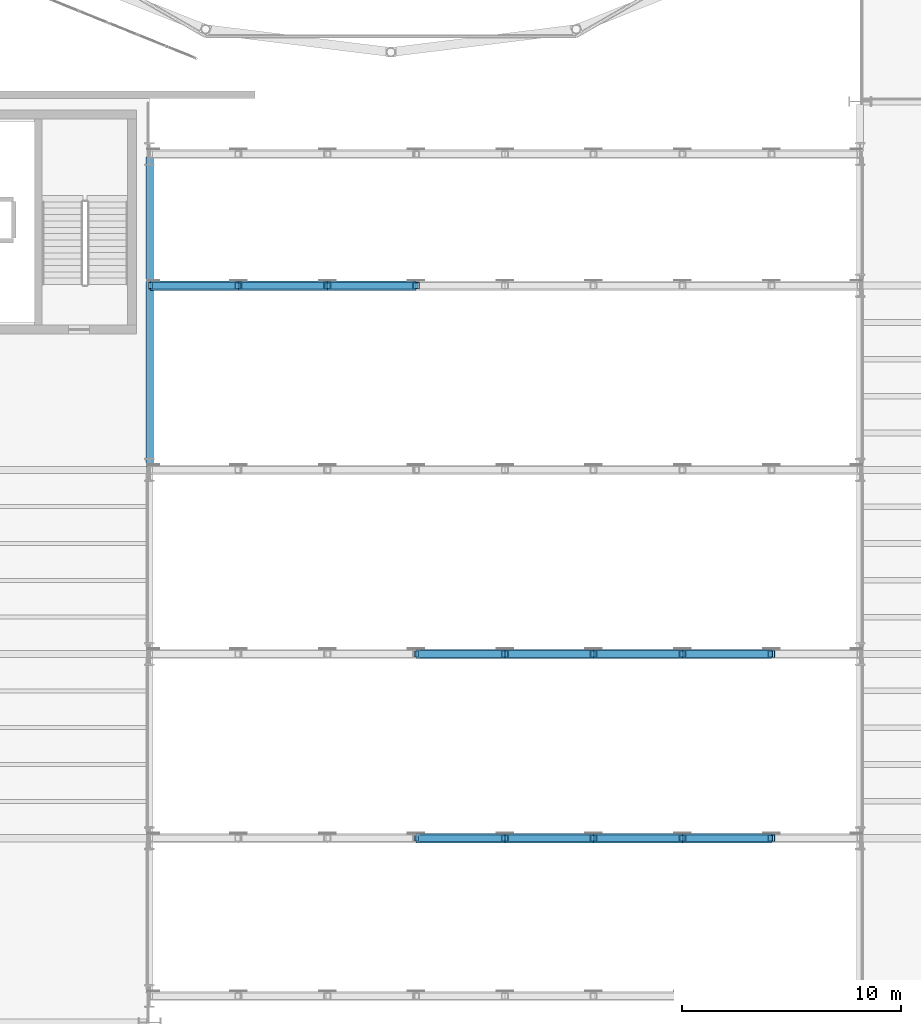
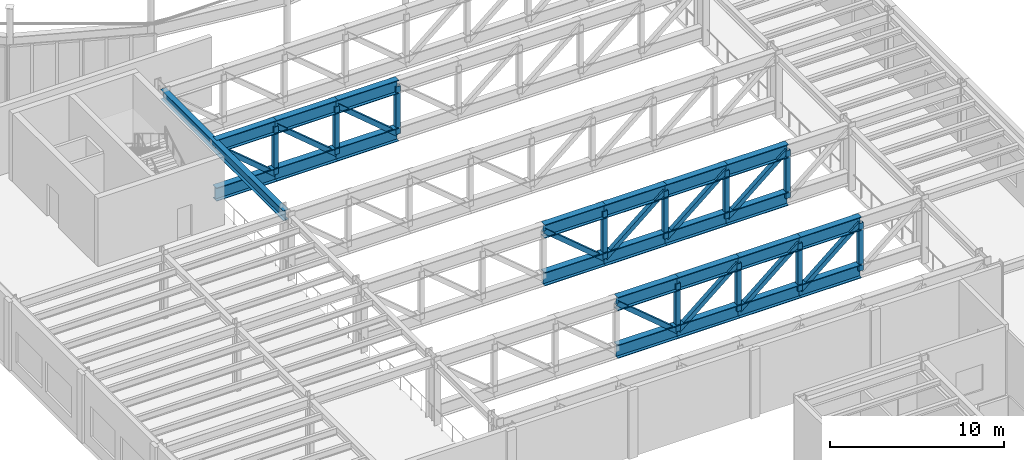
# One storey, part 20 of 91: 23 beams, 22 members.
"""IFC4 building model written with IfcOpenShell, lengths in metres."""

from ifc_helpers import new_model, si_unit, direction, frame, origin, origin_2d, place, context, subcontext, project, spatial, hollow_rectangle, i_section, extrude, material, material_profile, profile_set, type_object, element, save


model = new_model("IFC4")

# Units and contexts
model_context = context("Model", 3, precision=1e-05, world=origin(), true_north=direction((0.0, 1.0)))
body_context = subcontext(model_context, "Body", "Model", "MODEL_VIEW")
ifc_project = project(units=[si_unit("LENGTHUNIT", "METRE"), si_unit("AREAUNIT", "SQUARE_METRE"), si_unit("VOLUMEUNIT", "CUBIC_METRE"), si_unit("PLANEANGLEUNIT", "RADIAN"), si_unit("MASSUNIT", "GRAM", prefix="KILO")], contexts=[model_context])

# Site, building, storey
site_placement = place(None, origin())
site = spatial("IfcSite", under=ifc_project, at=site_placement, CompositionType="ELEMENT")
building_placement = place(site_placement, origin())
building = spatial("IfcBuilding", under=site, at=building_placement, Name="Sollismere Congress Hotel", CompositionType="ELEMENT")
storey_placement = place(building_placement, frame((0.0, 0.0, 10.800048828125)))
storey = spatial("IfcBuildingStorey", under=building, at=storey_placement, Name="L02", CompositionType="ELEMENT", Elevation=10.800048828125)

# Beams
ifc_material_1 = material(Name="Steel ASTM A992 Grade 50", Category="steel")
ifc_material_profile_1 = material_profile(ifc_material_1, i_section(OverallWidth=0.35595703125, OverallDepth=0.696044921875, WebThickness=0.015380859375, FlangeThickness=0.025146484375, at=origin_2d()), Name="W27X146")
ifc_profile_set_1 = profile_set([ifc_material_profile_1], Name="Steel ASTM A992 Grade 50")
beam_type_1 = type_object("IfcBeamType", Name="BM-G27", PredefinedType="BEAM", material=ifc_profile_set_1)
beam_placement = place(storey_placement, frame((18.0, 50.139892578125, 4.15185546875), z_axis=(0.0, 1.0, 0.0), x_axis=(-1.0, 0.0, 0.0)))
element("IfcBeam", 1, at=beam_placement, inside=storey, type_object=beam_type_1, Name="Beam BM-L02-2066", PredefinedType="BEAM", context=body_context, shape_type="SweptSolid", body=[
    extrude(i_section(OverallWidth=0.35595703125, OverallDepth=0.696044921875, WebThickness=0.015380859375, FlangeThickness=0.025146484375, at=origin_2d()), origin(), (0.0, 0.0, 1.0), 14.1201171875),
])
ifc_material_profile_2 = material_profile(ifc_material_1, i_section(OverallWidth=0.424072265625, OverallDepth=0.93994140625, WebThickness=0.02392578125, FlangeThickness=0.042724609375, at=origin_2d()), Name="W36X302")
ifc_profile_set_2 = profile_set([ifc_material_profile_2], Name="Steel ASTM A992 Grade 50")
beam_type_2 = type_object("IfcBeamType", Name="BM-TC36", PredefinedType="BEAM", material=ifc_profile_set_2)
for number, where, z_axis, x_axis, name in (
    (2, (30.14990234375, 33.199951171875, 4.030029296875), (1.0, 0.0, 0.0), (0.0, 1.0, 0.0), "Transfer truss chord BM-L02-4070"),
    (3, (30.14990234375, 33.199951171875, 0.679931640625), (1.0, 0.0, 0.0), (0.0, 1.0, 0.0), "Transfer truss chord BM-L02-4071"),
    (4, (34.199951171875, 33.199951171875, 4.030029296875), (1.0, 0.0, 0.0), (0.0, 1.0, 0.0), "Transfer truss chord BM-L02-4072"),
    (5, (34.199951171875, 33.199951171875, 0.679931640625), (1.0, 0.0, 0.0), (0.0, 1.0, 0.0), "Transfer truss chord BM-L02-4073"),
    (6, (38.25, 33.199951171875, 4.030029296875), (1.0, 0.0, 0.0), (0.0, 1.0, 0.0), "Transfer truss chord BM-L02-4074"),
    (7, (38.25, 33.199951171875, 0.679931640625), (1.0, 0.0, 0.0), (0.0, 1.0, 0.0), "Transfer truss chord BM-L02-4075"),
    (8, (42.300048828125, 33.199951171875, 4.030029296875), (1.0, 0.0, 0.0), (0.0, 1.0, 0.0), "Transfer truss chord BM-L02-4076"),
    (9, (42.300048828125, 33.199951171875, 0.679931640625), (1.0, 0.0, 0.0), (0.0, 1.0, 0.0), "Transfer truss chord BM-L02-4077"),
    (10, (30.14990234375, 41.60009765625, 4.030029296875), (1.0, 0.0, 0.0), (0.0, 1.0, 0.0), "Transfer truss chord BM-L02-4086"),
    (11, (30.14990234375, 41.60009765625, 0.679931640625), (1.0, 0.0, 0.0), (0.0, 1.0, 0.0), "Transfer truss chord BM-L02-4087"),
    (12, (34.199951171875, 41.60009765625, 4.030029296875), (1.0, 0.0, 0.0), (0.0, 1.0, 0.0), "Transfer truss chord BM-L02-4088"),
    (13, (34.199951171875, 41.60009765625, 0.679931640625), (1.0, 0.0, 0.0), (0.0, 1.0, 0.0), "Transfer truss chord BM-L02-4089"),
    (14, (38.25, 41.60009765625, 4.030029296875), (1.0, 0.0, 0.0), (0.0, 1.0, 0.0), "Transfer truss chord BM-L02-4090"),
    (15, (38.25, 41.60009765625, 0.679931640625), (1.0, 0.0, 0.0), (0.0, 1.0, 0.0), "Transfer truss chord BM-L02-4091"),
    (16, (42.300048828125, 41.60009765625, 4.030029296875), (1.0, 0.0, 0.0), (0.0, 1.0, 0.0), "Transfer truss chord BM-L02-4092"),
    (17, (42.300048828125, 41.60009765625, 0.679931640625), (1.0, 0.0, 0.0), (0.0, 1.0, 0.0), "Transfer truss chord BM-L02-4093"),
):
    element("IfcBeam", number, at=place(storey_placement, frame(where, z_axis=z_axis, x_axis=x_axis)), inside=storey, type_object=beam_type_2, Name=name, PredefinedType="BEAM", context=body_context, shape_type="SweptSolid", body=[
        extrude(i_section(OverallWidth=0.424072265625, OverallDepth=0.93994140625, WebThickness=0.02392578125, FlangeThickness=0.042724609375, at=origin_2d()), origin(), (0.0, 0.0, 1.0), 4.050048828125),
    ])
for number, where, z_axis, x_axis, name in (
    (18, (18.0400390625, 58.39990234375, 4.030029296875), (1.0, 0.0, 0.0), (0.0, 1.0, 0.0), "Transfer truss chord BM-L02-4112"),
    (19, (18.0400390625, 58.39990234375, 0.679931640625), (1.0, 0.0, 0.0), (0.0, 1.0, 0.0), "Transfer truss chord BM-L02-4113"),
):
    element("IfcBeam", number, at=place(storey_placement, frame(where, z_axis=z_axis, x_axis=x_axis)), inside=storey, type_object=beam_type_2, Name=name, PredefinedType="BEAM", context=body_context, shape_type="SweptSolid", body=[
        extrude(i_section(OverallWidth=0.424072265625, OverallDepth=0.93994140625, WebThickness=0.02392578125, FlangeThickness=0.042724609375, at=origin_2d()), origin(), (0.0, 0.0, 1.0), 4.010009765625),
    ])
for number, where, z_axis, x_axis, name in (
    (20, (22.050048828125, 58.39990234375, 4.030029296875), (1.0, 0.0, 0.0), (0.0, 1.0, 0.0), "Transfer truss chord BM-L02-4114"),
    (21, (22.050048828125, 58.39990234375, 0.679931640625), (1.0, 0.0, 0.0), (0.0, 1.0, 0.0), "Transfer truss chord BM-L02-4115"),
):
    element("IfcBeam", number, at=place(storey_placement, frame(where, z_axis=z_axis, x_axis=x_axis)), inside=storey, type_object=beam_type_2, Name=name, PredefinedType="BEAM", context=body_context, shape_type="SweptSolid", body=[
        extrude(i_section(OverallWidth=0.424072265625, OverallDepth=0.93994140625, WebThickness=0.02392578125, FlangeThickness=0.042724609375, at=origin_2d()), origin(), (0.0, 0.0, 1.0), 4.050048828125),
    ])
for number, where, z_axis, x_axis, name in (
    (22, (26.10009765625, 58.39990234375, 4.030029296875), (1.0, 0.0, 0.0), (0.0, 1.0, 0.0), "Transfer truss chord BM-L02-4116"),
    (23, (26.10009765625, 58.39990234375, 0.679931640625), (1.0, 0.0, 0.0), (0.0, 1.0, 0.0), "Transfer truss chord BM-L02-4117"),
):
    element("IfcBeam", number, at=place(storey_placement, frame(where, z_axis=z_axis, x_axis=x_axis)), inside=storey, type_object=beam_type_2, Name=name, PredefinedType="BEAM", context=body_context, shape_type="SweptSolid", body=[
        extrude(i_section(OverallWidth=0.424072265625, OverallDepth=0.93994140625, WebThickness=0.02392578125, FlangeThickness=0.042724609375, at=origin_2d()), origin(), (0.0, 0.0, 1.0), 4.0498046875),
    ])

# Members
ifc_material_2 = material(Name="Steel ASTM A500 Grade C", Category="steel")
ifc_material_profile_3 = material_profile(ifc_material_2, hollow_rectangle(XDim=0.300048828125, YDim=0.300048828125, WallThickness=0.011962890625, at=origin_2d()), Name="HSS300X300X12")
ifc_profile_set_3 = profile_set([ifc_material_profile_3], Name="Steel ASTM A500 Grade C")
member_type_1 = type_object("IfcMemberType", Name="MB-BR300", PredefinedType="BRACE", material=ifc_profile_set_3)
for number, where, z_axis, x_axis, name in (
    (24, (30.179931640625, 33.199951171875, 4.030029296875), (0.765846088126, 0.0, -0.643023925917), (0.0, 1.0, 0.0), "MBT-24 diagonal brace"),
    (25, (34.22998046875, 33.199951171875, 0.679931640625), (0.765846088126, 0.0, 0.643023925917), (0.0, 1.0, 0.0), "MBT-25 diagonal brace"),
    (26, (38.280029296875, 33.199951171875, 0.679931640625), (0.765846088126, 0.0, 0.643023925917), (0.0, 1.0, 0.0), "MBT-26 diagonal brace"),
    (27, (42.330078125, 33.199951171875, 0.679931640625), (0.765846088126, 0.0, 0.643023925917), (0.0, 1.0, 0.0), "MBT-27 diagonal brace"),
    (28, (30.179931640625, 41.60009765625, 4.030029296875), (0.765846088126, 0.0, -0.643023925917), (0.0, 1.0, 0.0), "MBT-34 diagonal brace"),
    (29, (34.22998046875, 41.60009765625, 0.679931640625), (0.765846088126, 0.0, 0.643023925917), (0.0, 1.0, 0.0), "MBT-35 diagonal brace"),
    (30, (38.280029296875, 41.60009765625, 0.679931640625), (0.765846088126, 0.0, 0.643023925917), (0.0, 1.0, 0.0), "MBT-36 diagonal brace"),
    (31, (42.330078125, 41.60009765625, 0.679931640625), (0.765846088126, 0.0, 0.643023925917), (0.0, 1.0, 0.0), "MBT-37 diagonal brace"),
):
    element("IfcMember", number, at=place(storey_placement, frame(where, z_axis=z_axis, x_axis=x_axis)), inside=storey, type_object=member_type_1, Name=name, PredefinedType="BRACE", context=body_context, shape_type="SweptSolid", body=[
        extrude(hollow_rectangle(XDim=0.300048828125, YDim=0.300048828125, WallThickness=0.011962890625, at=origin_2d()), origin(), (0.0, 0.0, 1.0), 5.2099609375),
    ])
member_1_placement = place(storey_placement, frame((18.0400390625, 58.39990234375, 4.030029296875), z_axis=(0.765049916178, 0.0, -0.643970982076), x_axis=(0.0, 1.0, 0.0)))
element("IfcMember", 32, at=member_1_placement, inside=storey, type_object=member_type_1, Name="MBT-51 diagonal brace", PredefinedType="BRACE", context=body_context, shape_type="SweptSolid", body=[
    extrude(hollow_rectangle(XDim=0.300048828125, YDim=0.300048828125, WallThickness=0.011962890625, at=origin_2d()), origin(), (0.0, 0.0, 1.0), 5.2021484375),
])
member_2_placement = place(storey_placement, frame((22.080078125, 58.39990234375, 4.030029296875), z_axis=(0.765846088126, 0.0, -0.643023925917), x_axis=(0.0, 1.0, 0.0)))
element("IfcMember", 33, at=member_2_placement, inside=storey, type_object=member_type_1, Name="MBT-52 diagonal brace", PredefinedType="BRACE", context=body_context, shape_type="SweptSolid", body=[
    extrude(hollow_rectangle(XDim=0.300048828125, YDim=0.300048828125, WallThickness=0.011962890625, at=origin_2d()), origin(), (0.0, 0.0, 1.0), 5.2099609375),
])
member_3_placement = place(storey_placement, frame((26.1298828125, 58.39990234375, 4.030029296875), z_axis=(0.765865463077, 0.0, -0.643000849507), x_axis=(0.0, 1.0, 0.0)))
element("IfcMember", 34, at=member_3_placement, inside=storey, type_object=member_type_1, Name="MBT-53 diagonal brace", PredefinedType="BRACE", context=body_context, shape_type="SweptSolid", body=[
    extrude(hollow_rectangle(XDim=0.300048828125, YDim=0.300048828125, WallThickness=0.011962890625, at=origin_2d()), origin(), (0.0, 0.0, 1.0), 5.210205078125),
])
ifc_material_profile_4 = material_profile(ifc_material_2, hollow_rectangle(XDim=0.300048828125, YDim=0.300048828125, WallThickness=0.011962890625, at=origin_2d()), Name="HSS300X300X12")
ifc_profile_set_4 = profile_set([ifc_material_profile_4], Name="Steel ASTM A500 Grade C")
member_type_2 = type_object("IfcMemberType", Name="MB-ST300", PredefinedType="STRUT", material=ifc_profile_set_4)
for number, where, z_axis, x_axis, name in (
    (35, (34.199951171875, 33.199951171875, 0.679931640625), (0.0, 0.0, 1.0), (1.0, 0.0, 0.0), "MVT-24 transfer truss strut"),
    (36, (38.25, 33.199951171875, 0.679931640625), (0.0, 0.0, 1.0), (1.0, 0.0, 0.0), "MVT-25 transfer truss strut"),
    (37, (42.300048828125, 33.199951171875, 0.679931640625), (0.0, 0.0, 1.0), (1.0, 0.0, 0.0), "MVT-26 transfer truss strut"),
    (38, (46.35009765625, 33.199951171875, 0.679931640625), (0.0, 0.0, 1.0), (1.0, 0.0, 0.0), "MVT-27 transfer truss strut"),
    (39, (34.199951171875, 41.60009765625, 0.679931640625), (0.0, 0.0, 1.0), (1.0, 0.0, 0.0), "MVT-34 transfer truss strut"),
    (40, (38.25, 41.60009765625, 0.679931640625), (0.0, 0.0, 1.0), (1.0, 0.0, 0.0), "MVT-35 transfer truss strut"),
    (41, (42.300048828125, 41.60009765625, 0.679931640625), (0.0, 0.0, 1.0), (1.0, 0.0, 0.0), "MVT-36 transfer truss strut"),
    (42, (46.35009765625, 41.60009765625, 0.679931640625), (0.0, 0.0, 1.0), (1.0, 0.0, 0.0), "MVT-37 transfer truss strut"),
    (43, (22.050048828125, 58.39990234375, 0.679931640625), (0.0, 0.0, 1.0), (1.0, 0.0, 0.0), "MVT-51 transfer truss strut"),
    (44, (26.10009765625, 58.39990234375, 0.679931640625), (0.0, 0.0, 1.0), (1.0, 0.0, 0.0), "MVT-52 transfer truss strut"),
    (45, (30.14990234375, 58.39990234375, 0.679931640625), (0.0, 0.0, 1.0), (1.0, 0.0, 0.0), "MVT-53 transfer truss strut"),
):
    element("IfcMember", number, at=place(storey_placement, frame(where, z_axis=z_axis, x_axis=x_axis)), inside=storey, type_object=member_type_2, Name=name, PredefinedType="STRUT", context=body_context, shape_type="SweptSolid", body=[
        extrude(hollow_rectangle(XDim=0.300048828125, YDim=0.300048828125, WallThickness=0.011962890625, at=origin_2d()), origin(), (0.0, 0.0, 1.0), 3.35009765625),
    ])

save(model, "model.ifc")
